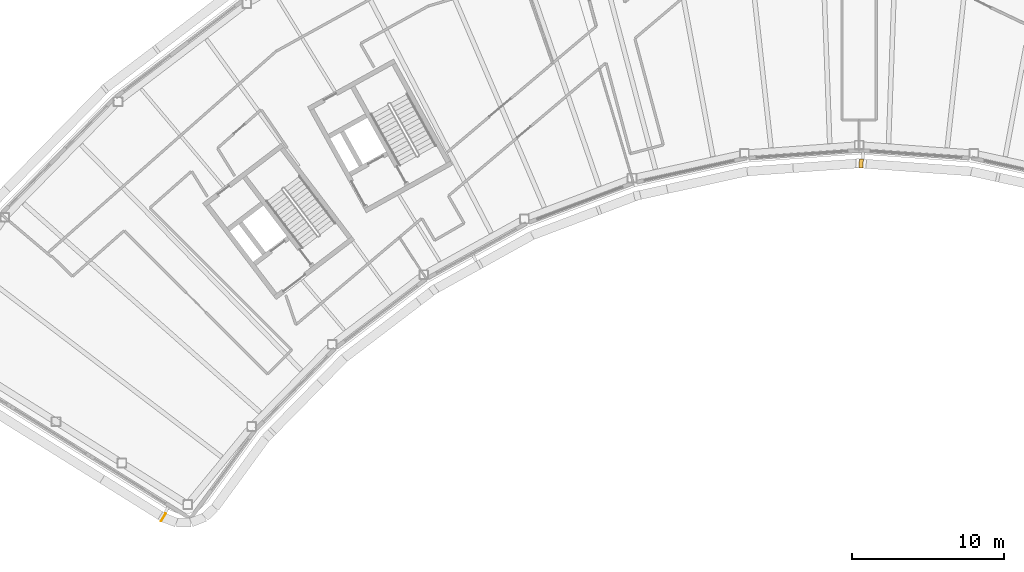
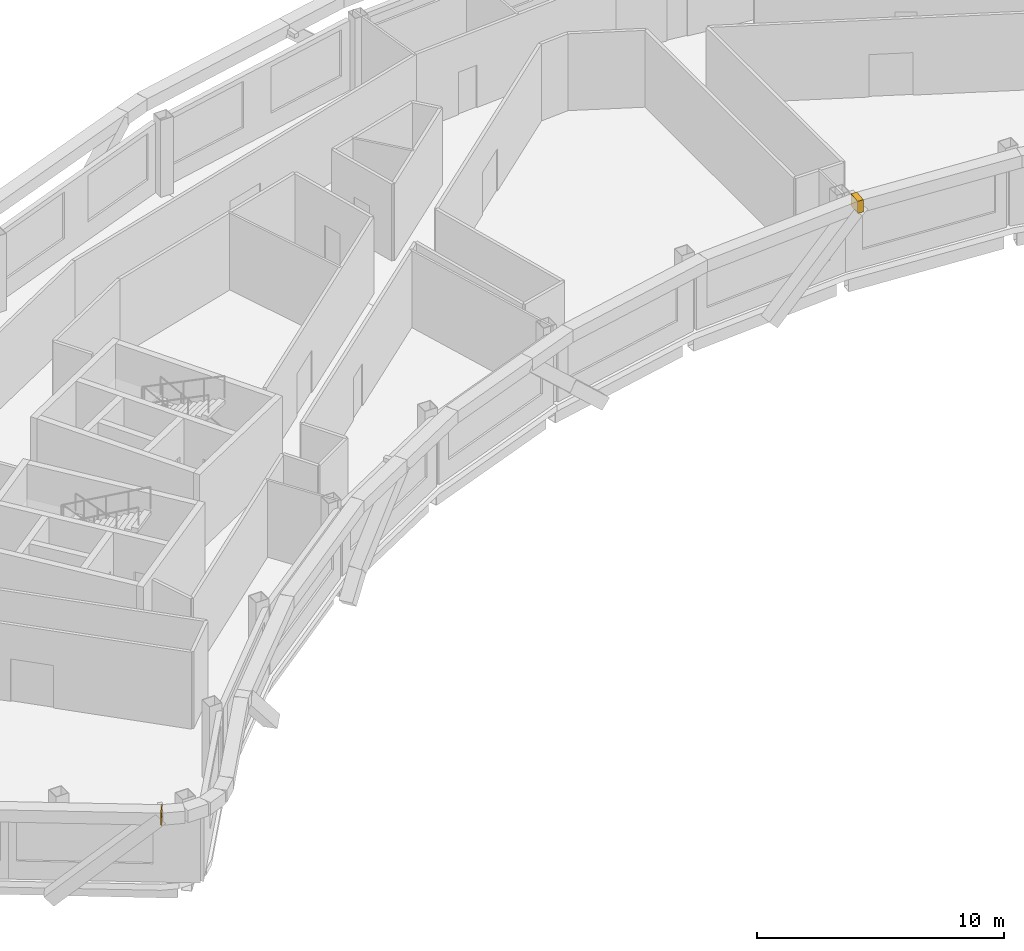
# One storey, part 17 of 17: 2 coverings.
"""IFC4 building model written with IfcOpenShell, lengths in metres."""

from ifc_helpers import new_model, si_unit, direction, frame, origin, origin_2d, place, context, subcontext, project, spatial, rectangle, extrude, material, material_profile, profile_set, type_object, element, save


model = new_model("IFC4")

# Units and contexts
model_context = context("Model", 3, precision=1e-05, world=origin(), true_north=direction((0.0, 1.0)))
body_context = subcontext(model_context, "Body", "Model", "MODEL_VIEW")
ifc_project = project(units=[si_unit("LENGTHUNIT", "METRE"), si_unit("AREAUNIT", "SQUARE_METRE"), si_unit("VOLUMEUNIT", "CUBIC_METRE"), si_unit("PLANEANGLEUNIT", "RADIAN"), si_unit("MASSUNIT", "GRAM", prefix="KILO")], contexts=[model_context])

# Site, building, storey
site_placement = place(None, origin())
site = spatial("IfcSite", under=ifc_project, at=site_placement, CompositionType="ELEMENT")
building_placement = place(site_placement, origin())
building = spatial("IfcBuilding", under=site, at=building_placement, Name="Tuul Gate Civic Tower", CompositionType="ELEMENT")
storey_placement = place(building_placement, frame((0.0, 0.0, 344.89990234375)))
storey = spatial("IfcBuildingStorey", under=building, at=storey_placement, Name="Level 78", CompositionType="ELEMENT", Elevation=344.89990234375)

# Coverings
ifc_material = material(Name="Terracotta baguette", Category="masonry")
ifc_material_profile = material_profile(ifc_material, rectangle(XDim=0.60009765625, YDim=0.60009765625, at=origin_2d()), Name="Terracotta baguette screen frame")
ifc_profile_set = profile_set([ifc_material_profile], Name="Terracotta baguette")
covering_type = type_object("IfcCoveringType", Name="Terracotta baguette screen frame", PredefinedType="CLADDING", material=ifc_profile_set)
covering_1_placement = place(storey_placement, frame((-43.7373046875, -32.078369140625, 3.85009765625), z_axis=(0.848779090136, -0.528747629921, 0.0), x_axis=(0.528747629921, 0.848779090136, 0.0)))
element("IfcCovering", 1, at=covering_1_placement, inside=storey, type_object=covering_type, Name="Baguette 171", PredefinedType="CLADDING", context=body_context, shape_type="SweptSolid", body=[
    extrude(rectangle(XDim=0.60009765625, YDim=0.60009765625, at=origin_2d()), origin(), (0.0, 0.0, 1.0), 0.052734375),
])
covering_2_placement = place(storey_placement, frame((2.19189453125, -8.73095703125, 3.85009765625), z_axis=(0.997368261677, -0.072502073076, 0.0), x_axis=(0.072502073076, 0.997368261677, 0.0)))
element("IfcCovering", 2, at=covering_2_placement, inside=storey, type_object=covering_type, Name="Baguette 439", PredefinedType="CLADDING", context=body_context, shape_type="SweptSolid", body=[
    extrude(rectangle(XDim=0.60009765625, YDim=0.60009765625, at=origin_2d()), origin(), (0.0, 0.0, 1.0), 0.2626953125),
])

save(model, "model.ifc")
